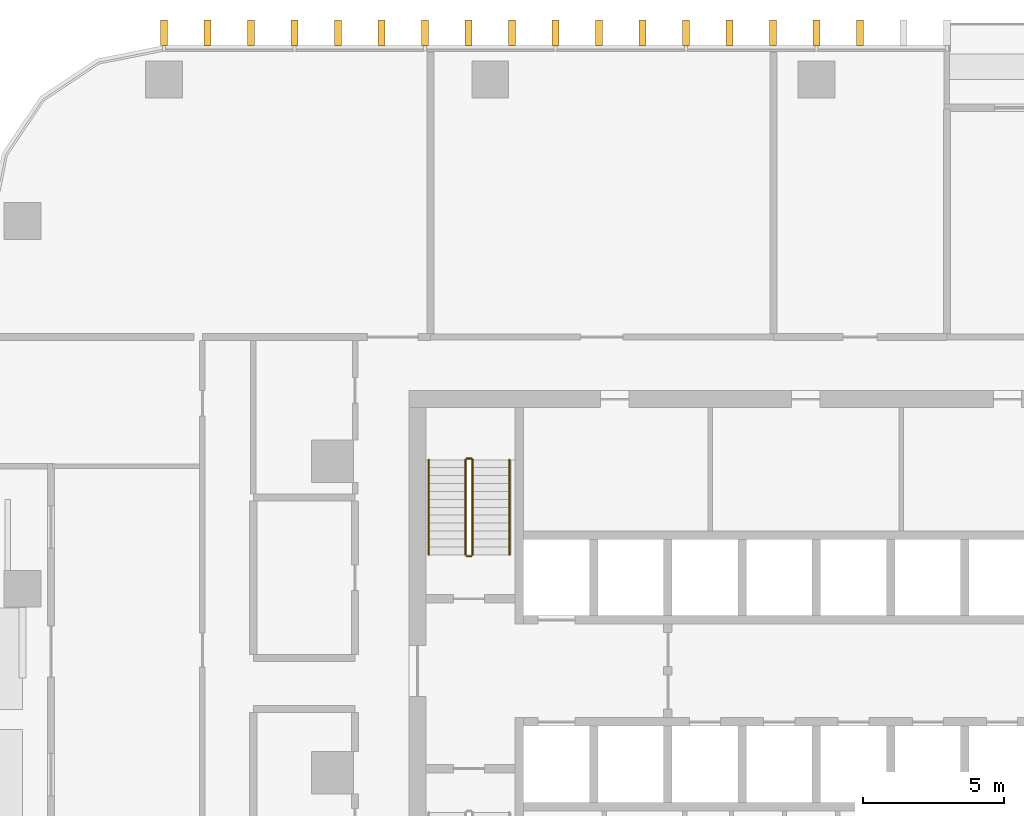
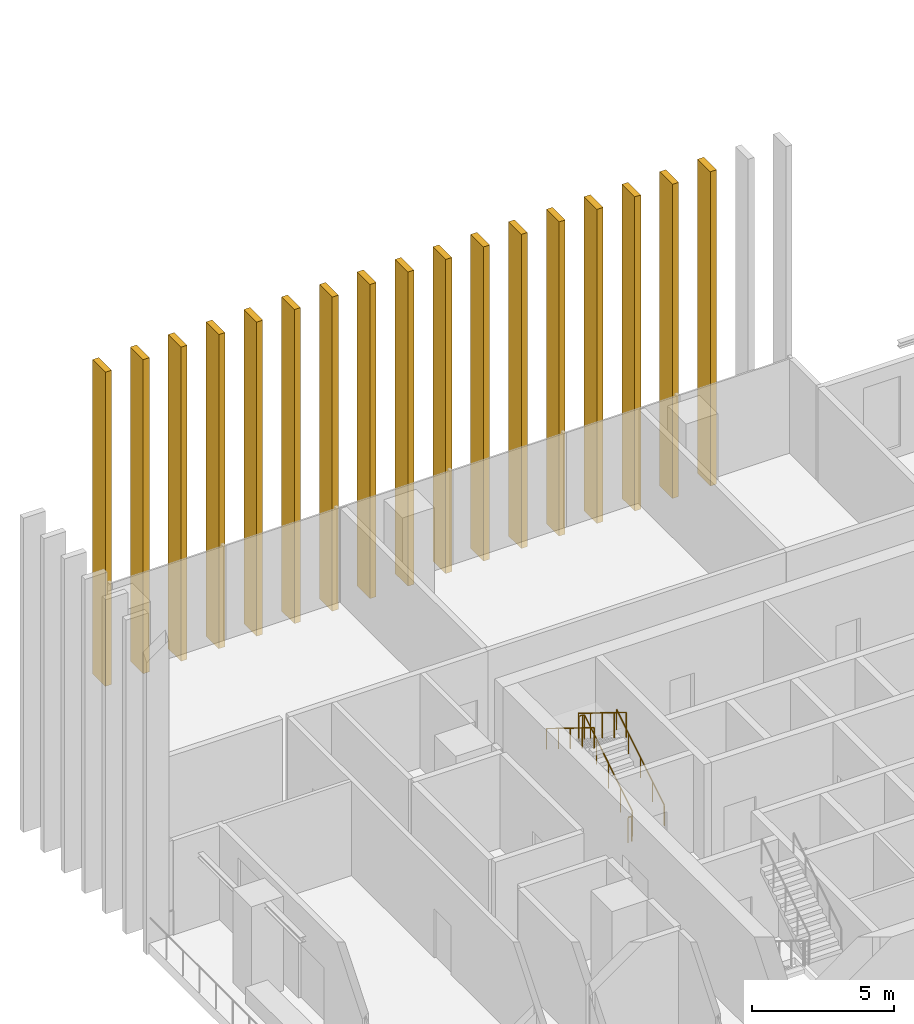
# One storey, part 16 of 17: 17 shading devices, 5 railings.
"""IFC4 building model written with IfcOpenShell, lengths in metres."""

import ifcopenshell
import ifcopenshell.guid

model = None  # the IFC model being written
_history = None  # IfcOwnerHistory: only IFC2X3 demands one
_inside = {}  # id of a spatial element -> (the spatial element, [elements in it])
_under = {}  # id of a project, library or spatial element -> (it, [spatial elements below it])
_declared = {}  # id of a project -> (the project, [libraries it declares])
_typed = {}  # id of a type object -> (the type object, [elements of that type])
_made_of = {}  # id of a material, layer set ... -> (it, [elements and type objects made of it])


def new_model(schema):
    """Start an empty IFC model of exactly this schema.

    Asked for "IFC4X3", IfcOpenShell would pick the latest addendum, in which some entities
    have other attributes; the version numbers below select the first issue.
    IFC2X3 requires an IfcOwnerHistory on every rooted entity: one is made here for all.
    """
    global model, _history
    if schema == "IFC4X3":
        model = ifcopenshell.file(schema_version=(4, 3, 0, 0))
    else:
        model = ifcopenshell.file(schema=schema)
    _inside.clear()
    _under.clear()
    _declared.clear()
    _typed.clear()
    _made_of.clear()
    _history = None
    if model.schema == "IFC2X3":
        org = make("IfcOrganization", Name="unknown")
        user = make(
            "IfcPersonAndOrganization",
            ThePerson=make("IfcPerson", FamilyName="unknown"),
            TheOrganization=org,
        )
        app = make(
            "IfcApplication",
            ApplicationDeveloper=org,
            Version="unknown",
            ApplicationFullName="unknown",
            ApplicationIdentifier="unknown",
        )
        _history = make(
            "IfcOwnerHistory",
            OwningUser=user,
            OwningApplication=app,
            ChangeAction="ADDED",
            CreationDate=0,
        )
    return model


def make(cls, **values):
    """One entity of the class cls with the attributes given. An attribute that is None is left unset."""
    return model.create_entity(
        cls, **{name: value for name, value in values.items() if value is not None}
    )


def rooted(cls, **values):
    """An entity with a GlobalId (a new one), such as an element, a storey or a relation."""
    return make(cls, GlobalId=ifcopenshell.guid.new(), OwnerHistory=_history, **values)


def si_unit(unit_type, name, prefix=None):
    """IfcSIUnit, for example si_unit("LENGTHUNIT", "METRE", prefix="MILLI")."""
    return make("IfcSIUnit", UnitType=unit_type, Prefix=prefix, Name=name)


def assignment(units):
    """IfcUnitAssignment: the units of a project."""
    return None if units is None else make("IfcUnitAssignment", Units=units)


def point(xyz):
    """IfcCartesianPoint."""
    return None if xyz is None else make("IfcCartesianPoint", Coordinates=xyz)


def direction(xyz):
    """IfcDirection."""
    return None if xyz is None else make("IfcDirection", DirectionRatios=xyz)


def frame(location, z_axis=None, x_axis=None):
    """IfcAxis2Placement3D, a coordinate frame: its origin and axes. An axis left out is left unset."""
    return make(
        "IfcAxis2Placement3D",
        Location=point(location),
        Axis=direction(z_axis),
        RefDirection=direction(x_axis),
    )


def frame_2d(location, x_axis=None):
    """IfcAxis2Placement2D, a coordinate frame in the plane: its origin and x axis."""
    return make(
        "IfcAxis2Placement2D", Location=point(location), RefDirection=direction(x_axis)
    )


def origin():
    """The frame at (0, 0, 0) with its axes left unset."""
    return frame((0.0, 0.0, 0.0))


def origin_2d():
    """The frame at (0, 0) in the plane with its x axis left unset."""
    return frame_2d((0.0, 0.0))


def place(relative_to, where):
    """IfcLocalPlacement: puts the frame where relative to a parent placement (None: the world)."""
    return make(
        "IfcLocalPlacement", PlacementRelTo=relative_to, RelativePlacement=where
    )


def context(
    kind, dimensions, precision=None, world=None, true_north=None, identifier=None
):
    """IfcGeometricRepresentationContext, for example the 3D "Model" context."""
    return make(
        "IfcGeometricRepresentationContext",
        ContextIdentifier=identifier,
        ContextType=kind,
        CoordinateSpaceDimension=dimensions,
        Precision=precision,
        WorldCoordinateSystem=world,
        TrueNorth=true_north,
    )


def subcontext(parent, identifier, kind, view, scale=None):
    """IfcGeometricRepresentationSubContext, for example "Body" below "Model"."""
    return make(
        "IfcGeometricRepresentationSubContext",
        ContextIdentifier=identifier,
        ContextType=kind,
        ParentContext=parent,
        TargetScale=scale,
        TargetView=view,
    )


def project(units=None, contexts=None):
    """IfcProject with its units and contexts."""
    return rooted(
        "IfcProject",
        Name="project",
        RepresentationContexts=contexts,
        UnitsInContext=assignment(units),
    )


def spatial(cls, under=None, at=None, **own):
    """A site, building, storey or space (cls), placed at a placement, below another one or the project."""
    s = rooted(cls, ObjectPlacement=at, **own)
    if under is not None:
        _under.setdefault(under.id(), (under, []))[1].append(s)
    return s


def profile(cls, at=None, kind="AREA", **sizes):
    """A parametric profile (cls). Its sizes go by their IFC names, for example OverallWidth=200.0."""
    return make(cls, ProfileType=kind, Position=at, **sizes)


def rectangle(**sizes):
    """IfcRectangleProfileDef."""
    return profile("IfcRectangleProfileDef", **sizes)


def circle(**sizes):
    """IfcCircleProfileDef."""
    return profile("IfcCircleProfileDef", **sizes)


def extrude(swept, where, along, depth):
    """IfcExtrudedAreaSolid: the profile swept, set in the frame where, extruded along a direction by depth."""
    return make(
        "IfcExtrudedAreaSolid",
        SweptArea=swept,
        Position=where,
        ExtrudedDirection=direction(along),
        Depth=depth,
    )


def shape(context_of_items, identifier, shape_type, items):
    """IfcShapeRepresentation: the items that make up one representation, for example the "Body"."""
    return make(
        "IfcShapeRepresentation",
        ContextOfItems=context_of_items,
        RepresentationIdentifier=identifier,
        RepresentationType=shape_type,
        Items=items,
    )


def material(Name=None, Category=None):
    """IfcMaterial."""
    return make("IfcMaterial", Name=Name, Category=Category)


def made_of(thing, what):
    """Note that an element or type object is made of a material, layer set ...; save() writes the relation."""
    if what is not None:
        _made_of.setdefault(what.id(), (what, []))[1].append(thing)
    return thing


def type_object(cls, material=None, **own):
    """A type object (cls), such as IfcWallType, which elements share."""
    return made_of(rooted(cls, **own), material)


def element(
    cls,
    number,
    at=None,
    inside=None,
    cuts=None,
    type_object=None,
    material=None,
    context=None,
    identifier="Body",
    shape_type=None,
    held_by="IfcProductDefinitionShape",
    body=None,
    shapes=None,
    **own,
):
    """One element of the class cls, such as IfcWall. Its Tag is "e" and its number.

    at: its placement. inside: the storey or other place that contains it. cuts: it is an
    opening in that element (IfcRelVoidsElement). A single representation is given by context,
    identifier, shape_type and body (its items); several are given by shapes. held_by: the class
    of the entity that holds the representations. save() writes the other relations.
    """
    e = rooted(cls, Tag="e%d" % number, ObjectPlacement=at, **own)
    if body is not None:
        shapes = [shape(context, identifier, shape_type, body)]
    if shapes is not None:
        e.Representation = make(held_by, Representations=shapes)
    if inside is not None:
        _inside.setdefault(inside.id(), (inside, []))[1].append(e)
    if cuts is not None:
        rooted(
            "IfcRelVoidsElement", RelatingBuildingElement=cuts, RelatedOpeningElement=e
        )
    if type_object is not None:
        _typed.setdefault(type_object.id(), (type_object, []))[1].append(e)
    return made_of(e, material)


def aggregate(whole, parts):
    """IfcRelAggregates: a whole, such as a stair, and the parts it consists of."""
    return rooted("IfcRelAggregates", RelatingObject=whole, RelatedObjects=parts)


def save(model, path):
    """Write the relations noted so far, then the file.

    IfcRelAggregates (storeys below a building ...), IfcRelContainedInSpatialStructure (elements
    in a storey), IfcRelDefinesByType, IfcRelAssociatesMaterial and IfcRelDeclares: one each for
    every whole, place, type object, material and project.
    """
    for whole, parts in _under.values():
        aggregate(whole, parts)
    for where, things in _inside.values():
        rooted(
            "IfcRelContainedInSpatialStructure",
            RelatedElements=things,
            RelatingStructure=where,
        )
    for kind, things in _typed.values():
        rooted("IfcRelDefinesByType", RelatedObjects=things, RelatingType=kind)
    for what, things in _made_of.values():
        rooted("IfcRelAssociatesMaterial", RelatedObjects=things, RelatingMaterial=what)
    for by, libraries in _declared.values():
        rooted("IfcRelDeclares", RelatingContext=by, RelatedDefinitions=libraries)
    model.write(path)


model = new_model("IFC4")

# Units and contexts
model_context = context("Model", 3, precision=1e-05, world=origin(), true_north=direction((0.0, 1.0)))
body_context = subcontext(model_context, "Body", "Model", "MODEL_VIEW")
ifc_project = project(units=[si_unit("LENGTHUNIT", "METRE"), si_unit("AREAUNIT", "SQUARE_METRE"), si_unit("VOLUMEUNIT", "CUBIC_METRE"), si_unit("PLANEANGLEUNIT", "RADIAN"), si_unit("MASSUNIT", "GRAM", prefix="KILO")], contexts=[model_context])

# Site, building, storey
site_placement = place(None, origin())
site = spatial("IfcSite", under=ifc_project, at=site_placement, CompositionType="ELEMENT")
building_placement = place(site_placement, origin())
building = spatial("IfcBuilding", under=site, at=building_placement, Name="Mopane Tessera Tower", CompositionType="ELEMENT")
storey_placement = place(building_placement, frame((0.0, 0.0, 108.10009765625)))
storey = spatial("IfcBuildingStorey", under=building, at=storey_placement, Name="L21", CompositionType="ELEMENT", Elevation=108.10009765625)

# Shading devices
ifc_material_1 = material(Name="Glazed ceramic tile")
shading_device_type = type_object("IfcShadingDeviceType", Name="Ceramic tile fin 900 x 250 mm", PredefinedType="USERDEFINED", material=ifc_material_1)
for number, where, z_axis, x_axis, name in (
    (1, (1.53662109375, 26.14990234375, -0.4501953125), (0.0, 0.0, 1.0), (-1.0, 0.0, 0.0), "e:fin:L21:N:4:2"),
    (2, (0.0, 26.14990234375, -0.4501953125), (0.0, 0.0, 1.0), (-1.0, 0.0, 0.0), "e:fin:L21:N:5:0"),
    (3, (-1.53662109375, 26.14990234375, -0.4501953125), (0.0, 0.0, 1.0), (-1.0, 0.0, 0.0), "e:fin:L21:N:5:1"),
    (4, (-3.0732421875, 26.14990234375, -0.4501953125), (0.0, 0.0, 1.0), (-1.0, 0.0, 0.0), "e:fin:L21:N:5:2"),
    (5, (-4.610107421875, 26.14990234375, -0.4501953125), (0.0, 0.0, 1.0), (-1.0, 0.0, 0.0), "e:fin:L21:N:6:0"),
    (6, (-6.146728515625, 26.14990234375, -0.4501953125), (0.0, 0.0, 1.0), (-1.0, 0.0, 0.0), "e:fin:L21:N:6:1"),
    (7, (-7.683349609375, 26.14990234375, -0.4501953125), (0.0, 0.0, 1.0), (-1.0, 0.0, 0.0), "e:fin:L21:N:6:2"),
    (8, (-9.219970703125, 26.14990234375, -0.4501953125), (0.0, 0.0, 1.0), (-1.0, 0.0, 0.0), "e:fin:L21:N:7:0"),
    (9, (-10.756591796875, 26.14990234375, -0.4501953125), (0.0, 0.0, 1.0), (-1.0, 0.0, 0.0), "e:fin:L21:N:7:1"),
    (10, (-12.293212890625, 26.14990234375, -0.4501953125), (0.0, 0.0, 1.0), (-1.0, 0.0, 0.0), "e:fin:L21:N:7:2"),
    (11, (-13.830078125, 26.14990234375, -0.4501953125), (0.0, 0.0, 1.0), (-1.0, 0.0, 0.0), "e:fin:L21:N:8:0"),
    (12, (-15.36669921875, 26.14990234375, -0.4501953125), (0.0, 0.0, 1.0), (-1.0, 0.0, 0.0), "e:fin:L21:N:8:1"),
    (13, (-16.9033203125, 26.14990234375, -0.4501953125), (0.0, 0.0, 1.0), (-1.0, 0.0, 0.0), "e:fin:L21:N:8:2"),
    (14, (-18.43994140625, 26.14990234375, -0.4501953125), (0.0, 0.0, 1.0), (-1.0, 0.0, 0.0), "e:fin:L21:N:9:0"),
    (15, (-19.9765625, 26.14990234375, -0.4501953125), (0.0, 0.0, 1.0), (-1.0, 0.0, 0.0), "e:fin:L21:N:9:1"),
    (16, (-21.513427734375, 26.14990234375, -0.4501953125), (0.0, 0.0, 1.0), (-1.0, 0.0, 0.0), "e:fin:L21:N:9:2"),
    (17, (-23.050048828125, 26.14990234375, -0.4501953125), (0.0, 0.0, 1.0), (-1.0, 0.0, 0.0), "e:fin:L21:N:9:3"),
):
    element("IfcShadingDevice", number, at=place(storey_placement, frame(where, z_axis=z_axis, x_axis=x_axis)), inside=storey, type_object=shading_device_type, Name=name, ObjectType="FIN", PredefinedType="USERDEFINED", context=body_context, shape_type="SweptSolid", body=[
        extrude(rectangle(XDim=0.25, YDim=0.89990234375, at=origin_2d()), origin(), (0.0, 0.0, 1.0), 13.5),
    ])

# Railings
ifc_material_2 = material(Name="Powder-coated steel balustrade", Category="steel")
railing_type_1 = type_object("IfcRailingType", Name="Escape stair guard 1100 mm", PredefinedType="GUARDRAIL", material=ifc_material_2)
railing_1_placement = place(storey_placement, frame((-12.14990234375, 7.699951171875, 0.173095703125)))
element("IfcRailing", 18, at=railing_1_placement, inside=storey, type_object=railing_type_1, Name="L21 ST2 stair guard 1", PredefinedType="GUARDRAIL", context=body_context, shape_type="SweptSolid", body=[
    extrude(circle(Radius=0.02392578125, at=origin_2d()), frame((0.0, 0.0, 1.076171875), z_axis=(0.0, 0.850623216509, 0.525775754039), x_axis=(-1.0, 0.0, 0.0)), (0.0, 0.0, 1.0), 3.9501953125),
    extrude(circle(Radius=0.02392578125, at=origin_2d()), frame((0.0, 3.360107421875, 3.15283203125), z_axis=(-0.707106781187, 0.707106781187, 0.0), x_axis=(-0.707106781187, -0.707106781187, 0.0)), (0.0, 0.0, 1.0), 0.07080078125),
    extrude(circle(Radius=0.02392578125, at=origin_2d()), frame((-0.050048828125, 3.41015625, 3.15283203125), z_axis=(-1.0, 0.0, 0.0), x_axis=(0.0, -1.0, 0.0)), (0.0, 0.0, 1.0), 0.150146484375),
    extrude(circle(Radius=0.02099609375, at=origin_2d()), origin(), (0.0, 0.0, 1.0), 1.052001953125),
    extrude(circle(Radius=0.02099609375, at=origin_2d()), frame((0.0, 0.840087890625, 0.519287109375)), (0.0, 0.0, 1.0), 1.052001953125),
    extrude(circle(Radius=0.02099609375, at=origin_2d()), frame((0.0, 1.68017578125, 1.03857421875)), (0.0, 0.0, 1.0), 1.052001953125),
    extrude(circle(Radius=0.02099609375, at=origin_2d()), frame((0.0, 2.52001953125, 1.5576171875)), (0.0, 0.0, 1.0), 1.052001953125),
    extrude(circle(Radius=0.02099609375, at=origin_2d()), frame((0.0, 3.360107421875, 2.076904296875)), (0.0, 0.0, 1.0), 1.052001953125),
    extrude(circle(Radius=0.02099609375, at=origin_2d()), frame((-0.050048828125, 3.41015625, 2.076904296875)), (0.0, 0.0, 1.0), 1.052001953125),
    extrude(circle(Radius=0.02099609375, at=origin_2d()), frame((-0.2001953125, 3.41015625, 2.076904296875)), (0.0, 0.0, 1.0), 1.052001953125),
])
railing_2_placement = place(storey_placement, frame((-12.39990234375, 11.06005859375, 2.423095703125)))
element("IfcRailing", 19, at=railing_2_placement, inside=storey, type_object=railing_type_1, Name="L21 ST2 stair guard 2", PredefinedType="GUARDRAIL", context=body_context, shape_type="SweptSolid", body=[
    extrude(circle(Radius=0.02392578125, at=origin_2d()), frame((0.0, 0.0, 1.076171875), z_axis=(0.0, -0.850623216509, 0.525775754039), x_axis=(1.0, 0.0, 0.0)), (0.0, 0.0, 1.0), 3.9501953125),
    extrude(circle(Radius=0.02099609375, at=origin_2d()), origin(), (0.0, 0.0, 1.0), 1.052001953125),
    extrude(circle(Radius=0.02099609375, at=origin_2d()), frame((0.0, -0.840087890625, 0.519287109375)), (0.0, 0.0, 1.0), 1.052001953125),
    extrude(circle(Radius=0.02099609375, at=origin_2d()), frame((0.0, -1.68017578125, 1.03857421875)), (0.0, 0.0, 1.0), 1.052001953125),
    extrude(circle(Radius=0.02099609375, at=origin_2d()), frame((0.0, -2.52001953125, 1.5576171875)), (0.0, 0.0, 1.0), 1.052001953125),
    extrude(circle(Radius=0.02099609375, at=origin_2d()), frame((0.0, -3.360107421875, 2.076904296875)), (0.0, 0.0, 1.0), 1.052001953125),
])
railing_3_placement = place(storey_placement, frame((-12.199951171875, 7.64990234375, 0.0)))
element("IfcRailing", 20, at=railing_3_placement, inside=storey, type_object=railing_type_1, Name="L21 ST2 stair guard 3", PredefinedType="GUARDRAIL", context=body_context, shape_type="SweptSolid", body=[
    extrude(circle(Radius=0.02392578125, at=origin_2d()), frame((0.0, 0.0, 1.076171875), z_axis=(-1.0, 0.0, 0.0), x_axis=(0.0, -1.0, 0.0)), (0.0, 0.0, 1.0), 0.150146484375),
    extrude(circle(Radius=0.02099609375, at=origin_2d()), origin(), (0.0, 0.0, 1.0), 1.052001953125),
    extrude(circle(Radius=0.02099609375, at=origin_2d()), frame((-0.150146484375, 0.0, 0.0)), (0.0, 0.0, 1.0), 1.052001953125),
])
ifc_material_3 = material(Name="Powder-coated steel balustrade", Category="steel")
railing_type_2 = type_object("IfcRailingType", Name="Escape stair handrail 900 mm", PredefinedType="HANDRAIL", material=ifc_material_3)
railing_4_placement = place(storey_placement, frame((-10.85009765625, 7.699951171875, 0.173095703125)))
element("IfcRailing", 21, at=railing_4_placement, inside=storey, type_object=railing_type_2, Name="L21 ST2 stair handrail 1", PredefinedType="HANDRAIL", context=body_context, shape_type="SweptSolid", body=[
    extrude(circle(Radius=0.02392578125, at=origin_2d()), frame((0.0, 0.0, 0.8759765625), z_axis=(0.0, 0.850623216509, 0.525775754039), x_axis=(-1.0, 0.0, 0.0)), (0.0, 0.0, 1.0), 3.9501953125),
    extrude(circle(Radius=0.02099609375, at=origin_2d()), origin(), (0.0, 0.0, 1.0), 0.851806640625),
    extrude(circle(Radius=0.02099609375, at=origin_2d()), frame((0.0, 0.840087890625, 0.519287109375)), (0.0, 0.0, 1.0), 0.851806640625),
    extrude(circle(Radius=0.02099609375, at=origin_2d()), frame((0.0, 1.68017578125, 1.03857421875)), (0.0, 0.0, 1.0), 0.851806640625),
    extrude(circle(Radius=0.02099609375, at=origin_2d()), frame((0.0, 2.52001953125, 1.5576171875)), (0.0, 0.0, 1.0), 0.851806640625),
    extrude(circle(Radius=0.02099609375, at=origin_2d()), frame((0.0, 3.360107421875, 2.076904296875)), (0.0, 0.0, 1.0), 0.851806640625),
])
railing_5_placement = place(storey_placement, frame((-13.699951171875, 11.06005859375, 2.423095703125)))
element("IfcRailing", 22, at=railing_5_placement, inside=storey, type_object=railing_type_2, Name="L21 ST2 stair handrail 2", PredefinedType="HANDRAIL", context=body_context, shape_type="SweptSolid", body=[
    extrude(circle(Radius=0.02392578125, at=origin_2d()), frame((0.0, 0.0, 0.8759765625), z_axis=(0.0, -0.850623216509, 0.525775754039), x_axis=(1.0, 0.0, 0.0)), (0.0, 0.0, 1.0), 3.9501953125),
    extrude(circle(Radius=0.02099609375, at=origin_2d()), origin(), (0.0, 0.0, 1.0), 0.851806640625),
    extrude(circle(Radius=0.02099609375, at=origin_2d()), frame((0.0, -0.840087890625, 0.519287109375)), (0.0, 0.0, 1.0), 0.851806640625),
    extrude(circle(Radius=0.02099609375, at=origin_2d()), frame((0.0, -1.68017578125, 1.03857421875)), (0.0, 0.0, 1.0), 0.851806640625),
    extrude(circle(Radius=0.02099609375, at=origin_2d()), frame((0.0, -2.52001953125, 1.5576171875)), (0.0, 0.0, 1.0), 0.851806640625),
    extrude(circle(Radius=0.02099609375, at=origin_2d()), frame((0.0, -3.360107421875, 2.076904296875)), (0.0, 0.0, 1.0), 0.851806640625),
])

save(model, "model.ifc")
